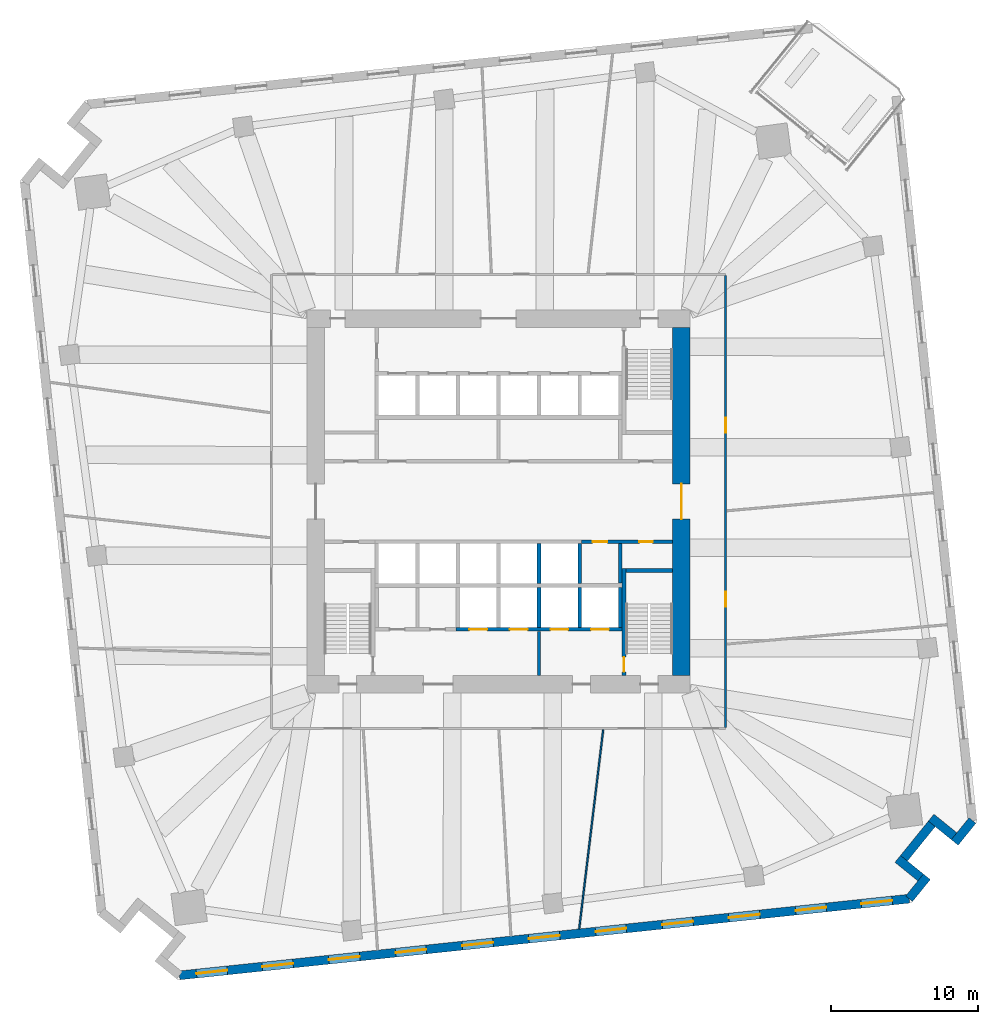
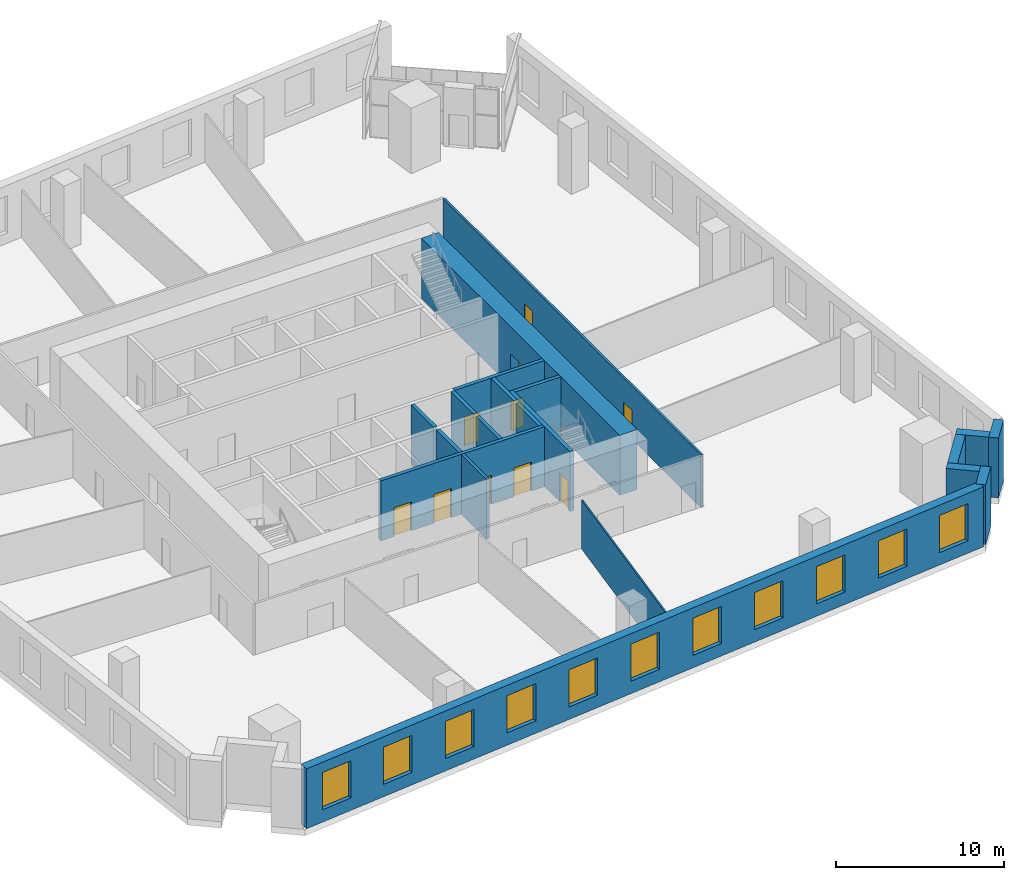
# One storey, part 5 of 10: 20 walls, 11 windows, 10 doors, 21 openings.
"""IFC4 building model written with IfcOpenShell, lengths in metres."""

import ifcopenshell
import ifcopenshell.guid

model = None  # the IFC model being written
_history = None  # IfcOwnerHistory: only IFC2X3 demands one
_inside = {}  # id of a spatial element -> (the spatial element, [elements in it])
_under = {}  # id of a project, library or spatial element -> (it, [spatial elements below it])
_declared = {}  # id of a project -> (the project, [libraries it declares])
_typed = {}  # id of a type object -> (the type object, [elements of that type])
_made_of = {}  # id of a material, layer set ... -> (it, [elements and type objects made of it])


def new_model(schema):
    """Start an empty IFC model of exactly this schema.

    Asked for "IFC4X3", IfcOpenShell would pick the latest addendum, in which some entities
    have other attributes; the version numbers below select the first issue.
    IFC2X3 requires an IfcOwnerHistory on every rooted entity: one is made here for all.
    """
    global model, _history
    if schema == "IFC4X3":
        model = ifcopenshell.file(schema_version=(4, 3, 0, 0))
    else:
        model = ifcopenshell.file(schema=schema)
    _inside.clear()
    _under.clear()
    _declared.clear()
    _typed.clear()
    _made_of.clear()
    _history = None
    if model.schema == "IFC2X3":
        org = make("IfcOrganization", Name="unknown")
        user = make(
            "IfcPersonAndOrganization",
            ThePerson=make("IfcPerson", FamilyName="unknown"),
            TheOrganization=org,
        )
        app = make(
            "IfcApplication",
            ApplicationDeveloper=org,
            Version="unknown",
            ApplicationFullName="unknown",
            ApplicationIdentifier="unknown",
        )
        _history = make(
            "IfcOwnerHistory",
            OwningUser=user,
            OwningApplication=app,
            ChangeAction="ADDED",
            CreationDate=0,
        )
    return model


def make(cls, **values):
    """One entity of the class cls with the attributes given. An attribute that is None is left unset."""
    return model.create_entity(
        cls, **{name: value for name, value in values.items() if value is not None}
    )


def rooted(cls, **values):
    """An entity with a GlobalId (a new one), such as an element, a storey or a relation."""
    return make(cls, GlobalId=ifcopenshell.guid.new(), OwnerHistory=_history, **values)


def si_unit(unit_type, name, prefix=None):
    """IfcSIUnit, for example si_unit("LENGTHUNIT", "METRE", prefix="MILLI")."""
    return make("IfcSIUnit", UnitType=unit_type, Prefix=prefix, Name=name)


def assignment(units):
    """IfcUnitAssignment: the units of a project."""
    return None if units is None else make("IfcUnitAssignment", Units=units)


def point(xyz):
    """IfcCartesianPoint."""
    return None if xyz is None else make("IfcCartesianPoint", Coordinates=xyz)


def direction(xyz):
    """IfcDirection."""
    return None if xyz is None else make("IfcDirection", DirectionRatios=xyz)


def frame(location, z_axis=None, x_axis=None):
    """IfcAxis2Placement3D, a coordinate frame: its origin and axes. An axis left out is left unset."""
    return make(
        "IfcAxis2Placement3D",
        Location=point(location),
        Axis=direction(z_axis),
        RefDirection=direction(x_axis),
    )


def frame_2d(location, x_axis=None):
    """IfcAxis2Placement2D, a coordinate frame in the plane: its origin and x axis."""
    return make(
        "IfcAxis2Placement2D", Location=point(location), RefDirection=direction(x_axis)
    )


def origin():
    """The frame at (0, 0, 0) with its axes left unset."""
    return frame((0.0, 0.0, 0.0))


def place(relative_to, where):
    """IfcLocalPlacement: puts the frame where relative to a parent placement (None: the world)."""
    return make(
        "IfcLocalPlacement", PlacementRelTo=relative_to, RelativePlacement=where
    )


def context(
    kind, dimensions, precision=None, world=None, true_north=None, identifier=None
):
    """IfcGeometricRepresentationContext, for example the 3D "Model" context."""
    return make(
        "IfcGeometricRepresentationContext",
        ContextIdentifier=identifier,
        ContextType=kind,
        CoordinateSpaceDimension=dimensions,
        Precision=precision,
        WorldCoordinateSystem=world,
        TrueNorth=true_north,
    )


def subcontext(parent, identifier, kind, view, scale=None):
    """IfcGeometricRepresentationSubContext, for example "Body" below "Model"."""
    return make(
        "IfcGeometricRepresentationSubContext",
        ContextIdentifier=identifier,
        ContextType=kind,
        ParentContext=parent,
        TargetScale=scale,
        TargetView=view,
    )


def project(units=None, contexts=None):
    """IfcProject with its units and contexts."""
    return rooted(
        "IfcProject",
        Name="project",
        RepresentationContexts=contexts,
        UnitsInContext=assignment(units),
    )


def spatial(cls, under=None, at=None, **own):
    """A site, building, storey or space (cls), placed at a placement, below another one or the project."""
    s = rooted(cls, ObjectPlacement=at, **own)
    if under is not None:
        _under.setdefault(under.id(), (under, []))[1].append(s)
    return s


def profile(cls, at=None, kind="AREA", **sizes):
    """A parametric profile (cls). Its sizes go by their IFC names, for example OverallWidth=200.0."""
    return make(cls, ProfileType=kind, Position=at, **sizes)


def rectangle(**sizes):
    """IfcRectangleProfileDef."""
    return profile("IfcRectangleProfileDef", **sizes)


def extrude(swept, where, along, depth):
    """IfcExtrudedAreaSolid: the profile swept, set in the frame where, extruded along a direction by depth."""
    return make(
        "IfcExtrudedAreaSolid",
        SweptArea=swept,
        Position=where,
        ExtrudedDirection=direction(along),
        Depth=depth,
    )


def shape(context_of_items, identifier, shape_type, items):
    """IfcShapeRepresentation: the items that make up one representation, for example the "Body"."""
    return make(
        "IfcShapeRepresentation",
        ContextOfItems=context_of_items,
        RepresentationIdentifier=identifier,
        RepresentationType=shape_type,
        Items=items,
    )


def material(Name=None, Category=None):
    """IfcMaterial."""
    return make("IfcMaterial", Name=Name, Category=Category)


def layer(
    of_material, thickness, ventilated=None, Name=None, Category=None, Priority=None
):
    """IfcMaterialLayer: one layer of a wall or slab, of a material (None: an air gap)."""
    return make(
        "IfcMaterialLayer",
        Material=of_material,
        LayerThickness=thickness,
        IsVentilated=ventilated,
        Name=Name,
        Category=Category,
        Priority=Priority,
    )


def layer_set(layers, Name=None):
    """IfcMaterialLayerSet."""
    return make("IfcMaterialLayerSet", MaterialLayers=layers, LayerSetName=Name)


def made_of(thing, what):
    """Note that an element or type object is made of a material, layer set ...; save() writes the relation."""
    if what is not None:
        _made_of.setdefault(what.id(), (what, []))[1].append(thing)
    return thing


def type_object(cls, material=None, **own):
    """A type object (cls), such as IfcWallType, which elements share."""
    return made_of(rooted(cls, **own), material)


def element(
    cls,
    number,
    at=None,
    inside=None,
    cuts=None,
    type_object=None,
    material=None,
    context=None,
    identifier="Body",
    shape_type=None,
    held_by="IfcProductDefinitionShape",
    body=None,
    shapes=None,
    **own,
):
    """One element of the class cls, such as IfcWall. Its Tag is "e" and its number.

    at: its placement. inside: the storey or other place that contains it. cuts: it is an
    opening in that element (IfcRelVoidsElement). A single representation is given by context,
    identifier, shape_type and body (its items); several are given by shapes. held_by: the class
    of the entity that holds the representations. save() writes the other relations.
    """
    e = rooted(cls, Tag="e%d" % number, ObjectPlacement=at, **own)
    if body is not None:
        shapes = [shape(context, identifier, shape_type, body)]
    if shapes is not None:
        e.Representation = make(held_by, Representations=shapes)
    if inside is not None:
        _inside.setdefault(inside.id(), (inside, []))[1].append(e)
    if cuts is not None:
        rooted(
            "IfcRelVoidsElement", RelatingBuildingElement=cuts, RelatedOpeningElement=e
        )
    if type_object is not None:
        _typed.setdefault(type_object.id(), (type_object, []))[1].append(e)
    return made_of(e, material)


def fill(opening, filler):
    """IfcRelFillsElement: the door or window that sits in an opening."""
    return rooted(
        "IfcRelFillsElement",
        RelatingOpeningElement=opening,
        RelatedBuildingElement=filler,
    )


def aggregate(whole, parts):
    """IfcRelAggregates: a whole, such as a stair, and the parts it consists of."""
    return rooted("IfcRelAggregates", RelatingObject=whole, RelatedObjects=parts)


def save(model, path):
    """Write the relations noted so far, then the file.

    IfcRelAggregates (storeys below a building ...), IfcRelContainedInSpatialStructure (elements
    in a storey), IfcRelDefinesByType, IfcRelAssociatesMaterial and IfcRelDeclares: one each for
    every whole, place, type object, material and project.
    """
    for whole, parts in _under.values():
        aggregate(whole, parts)
    for where, things in _inside.values():
        rooted(
            "IfcRelContainedInSpatialStructure",
            RelatedElements=things,
            RelatingStructure=where,
        )
    for kind, things in _typed.values():
        rooted("IfcRelDefinesByType", RelatedObjects=things, RelatingType=kind)
    for what, things in _made_of.values():
        rooted("IfcRelAssociatesMaterial", RelatedObjects=things, RelatingMaterial=what)
    for by, libraries in _declared.values():
        rooted("IfcRelDeclares", RelatingContext=by, RelatedDefinitions=libraries)
    model.write(path)


model = new_model("IFC4")

# Units and contexts
model_context = context("Model", 3, precision=1e-05, world=origin(), true_north=direction((0.0, 1.0)))
body_context = subcontext(model_context, "Body", "Model", "MODEL_VIEW")
ifc_project = project(units=[si_unit("LENGTHUNIT", "METRE"), si_unit("AREAUNIT", "SQUARE_METRE"), si_unit("VOLUMEUNIT", "CUBIC_METRE"), si_unit("PLANEANGLEUNIT", "RADIAN"), si_unit("MASSUNIT", "GRAM", prefix="KILO")], contexts=[model_context])

# Site, building, storey
site_placement = place(None, origin())
site = spatial("IfcSite", under=ifc_project, at=site_placement, CompositionType="ELEMENT")
building_placement = place(site_placement, origin())
building = spatial("IfcBuilding", under=site, at=building_placement, Name="Dilmun Exchange Tower", CompositionType="ELEMENT")
storey_placement = place(building_placement, frame((0.0, 0.0, 36.89990234375)))
storey = spatial("IfcBuildingStorey", under=building, at=storey_placement, Name="L08", CompositionType="ELEMENT", Elevation=36.89990234375)

# Walls
ifc_material_1 = material(Name="Concrete C40/50", Category="concrete")
ifc_layer_1 = layer(ifc_material_1, 0.199951171875)
ifc_layer_set_1 = layer_set([ifc_layer_1], Name="Concrete C40/50")
wall_type_1 = type_object("IfcWallType", Name="Core partition wall 200", PredefinedType="PARTITIONING", material=ifc_layer_set_1)
wall_1_placement = place(storey_placement, frame((2.75, -11.794921875, 0.0), z_axis=(0.0, 0.0, 1.0), x_axis=(0.0, 1.0, 0.0)))
element("IfcWall", 1, at=wall_1_placement, inside=storey, type_object=wall_type_1, Name="L08 core partition wall 01", PredefinedType="PARTITIONING", context=body_context, shape_type="SweptSolid", body=[
    extrude(rectangle(XDim=2.989990234375, YDim=0.199951171875, at=frame_2d((1.4951171875, 0.0))), origin(), (0.0, 0.0, 1.0), 4.35009765625),
])
ifc_layer_2 = layer(ifc_material_1, 0.25)
ifc_layer_set_2 = layer_set([ifc_layer_2], Name="Concrete C40/50")
wall_type_2 = type_object("IfcWallType", Name="Core partition wall 250", PredefinedType="PARTITIONING", material=ifc_layer_set_2)
wall_2_placement = place(storey_placement, frame((8.25, -5.544921875, 0.0), z_axis=(0.0, 0.0, 1.0), x_axis=(0.0, 1.0, 0.0)))
element("IfcWall", 2, at=wall_2_placement, inside=storey, type_object=wall_type_2, Name="L08 core partition wall 05", PredefinedType="PARTITIONING", context=body_context, shape_type="SweptSolid", body=[
    extrude(rectangle(XDim=2.68994140625, YDim=0.25, at=frame_2d((1.344970703125, 0.0))), origin(), (0.0, 0.0, 1.0), 4.35009765625),
])

# Wall, openings, doors
wall_3_placement = place(storey_placement, frame((5.6298828125, -2.72509765625, 0.0), z_axis=(0.0, 0.0, 1.0), x_axis=(1.0, 0.0, 0.0)))
wall_3 = element("IfcWall", 3, at=wall_3_placement, inside=storey, type_object=wall_type_2, Name="L08 core partition wall 07", PredefinedType="PARTITIONING", context=body_context, shape_type="SweptSolid", body=[
    extrude(rectangle(XDim=6.1650390625, YDim=0.25, at=frame_2d((3.08251953125, 0.0))), origin(), (0.0, 0.0, 1.0), 4.35009765625),
])
opening_1_placement = place(wall_3_placement, frame((0.7451171875, 0.0, 0.0)))
opening_1 = element("IfcOpeningElement", 4, at=opening_1_placement, cuts=wall_3, Name="Opening CD4", PredefinedType="OPENING", context=body_context, shape_type="SweptSolid", body=[
    extrude(rectangle(XDim=1.0, YDim=2.10009765625, at=frame_2d((0.5, 1.050048828125))), frame((0.0, 0.135009765625, 0.0), z_axis=(0.0, -1.0, 0.0), x_axis=(1.0, 0.0, 0.0)), (0.0, 0.0, 1.0), 0.27001953125),
])
opening_2_placement = place(wall_3_placement, frame((3.919921875, 0.0, 0.0)))
opening_2 = element("IfcOpeningElement", 5, at=opening_2_placement, cuts=wall_3, Name="Opening CD6", PredefinedType="OPENING", context=body_context, shape_type="SweptSolid", body=[
    extrude(rectangle(XDim=0.89990234375, YDim=2.10009765625, at=frame_2d((0.449951171875, 1.050048828125))), frame((0.0, 0.135009765625, 0.0), z_axis=(0.0, -1.0, 0.0), x_axis=(1.0, 0.0, 0.0)), (0.0, 0.0, 1.0), 0.27001953125),
])
ifc_material_2 = material(Name="Fire-rated steel door set", Category="steel")
door_type_1 = type_object("IfcDoorType", Name="Core room door 1000x2100", OperationType="SINGLE_SWING_LEFT", PredefinedType="DOOR", material=ifc_material_2)
door_1_placement = place(opening_1_placement, origin())
door_1 = element("IfcDoor", 6, at=door_1_placement, inside=storey, type_object=door_type_1, Name="L08 door Cleaners' store", OperationType="SINGLE_SWING_LEFT", OverallHeight=2.10009765625, OverallWidth=1.0, PredefinedType="DOOR", context=body_context, shape_type="SweptSolid", body=[
    extrude(rectangle(XDim=1.0, YDim=2.10009765625, at=frame_2d((0.5, 1.050048828125))), frame((0.0, 0.02490234375, 0.0), z_axis=(0.0, -1.0, 0.0), x_axis=(1.0, 0.0, 0.0)), (0.0, 0.0, 1.0), 0.050048828125),
])
fill(opening_1, door_1)
door_type_2 = type_object("IfcDoorType", Name="Core room door 900x2100", OperationType="SINGLE_SWING_LEFT", PredefinedType="DOOR", material=ifc_material_2)
door_2_placement = place(opening_2_placement, origin())
door_2 = element("IfcDoor", 7, at=door_2_placement, inside=storey, type_object=door_type_2, Name="L08 door Comms riser", OperationType="SINGLE_SWING_LEFT", OverallHeight=2.10009765625, OverallWidth=0.89990234375, PredefinedType="DOOR", context=body_context, shape_type="SweptSolid", body=[
    extrude(rectangle(XDim=0.89990234375, YDim=2.10009765625, at=frame_2d((0.449951171875, 1.050048828125))), frame((0.0, 0.02490234375, 0.0), z_axis=(0.0, -1.0, 0.0), x_axis=(1.0, 0.0, 0.0)), (0.0, 0.0, 1.0), 0.050048828125),
])
fill(opening_2, door_2)

# Wall, opening, door
ifc_material_3 = material(Name="Concrete C80/95", Category="concrete")
ifc_layer_3 = layer(ifc_material_3, 1.199951171875)
ifc_layer_set_3 = layer_set([ifc_layer_3], Name="Concrete C80/95")
wall_type_3 = type_object("IfcWallType", Name="Core shear wall 1200 Concrete C80/95", PredefinedType="SHEAR", material=ifc_layer_set_3)
wall_4_placement = place(storey_placement, frame((12.39990234375, -11.800048828125, 0.0), z_axis=(0.0, 0.0, 1.0), x_axis=(0.0, 1.0, 0.0)))
wall_4 = element("IfcWall", 8, at=wall_4_placement, inside=storey, type_object=wall_type_3, Name="L08 core shear wall E", PredefinedType="SHEAR", context=body_context, shape_type="SweptSolid", body=[
    extrude(rectangle(XDim=23.60009765625, YDim=1.199951171875, at=frame_2d((11.800048828125, 0.0))), origin(), (0.0, 0.0, 1.0), 4.35009765625),
])
opening_3_placement = place(wall_4_placement, frame((10.60009765625, 0.0, 0.0)))
opening_3 = element("IfcOpeningElement", 9, at=opening_3_placement, cuts=wall_4, Name="Opening CD1", PredefinedType="OPENING", context=body_context, shape_type="SweptSolid", body=[
    extrude(rectangle(XDim=2.39990234375, YDim=2.39990234375, at=frame_2d((1.199951171875, 1.199951171875))), frame((0.0, 0.60986328125, 0.0), z_axis=(0.0, -1.0, 0.0), x_axis=(1.0, 0.0, 0.0)), (0.0, 0.0, 1.0), 1.219970703125),
])
door_type_3 = type_object("IfcDoorType", Name="Core lobby door 2400x2400", OperationType="DOUBLE_DOOR_DOUBLE_SWING", PredefinedType="DOOR", material=ifc_material_2)
door_3_placement = place(opening_3_placement, origin())
door_3 = element("IfcDoor", 10, at=door_3_placement, inside=storey, type_object=door_type_3, Name="L08 door Central lift lobby", OperationType="SINGLE_SWING_LEFT", OverallHeight=2.39990234375, OverallWidth=2.39990234375, PredefinedType="DOOR", context=body_context, shape_type="SweptSolid", body=[
    extrude(rectangle(XDim=2.39990234375, YDim=2.39990234375, at=frame_2d((1.199951171875, 1.199951171875))), frame((0.0, 0.02490234375, 0.0), z_axis=(0.0, -1.0, 0.0), x_axis=(1.0, 0.0, 0.0)), (0.0, 0.0, 1.0), 0.050048828125),
])
fill(opening_3, door_3)

# Wall, openings, doors
ifc_material_4 = material(Name="Corridor wall 150")
ifc_layer_4 = layer(ifc_material_4, 0.14990234375)
ifc_layer_set_4 = layer_set([ifc_layer_4], Name="Corridor wall 150")
wall_type_4 = type_object("IfcWallType", Name="Corridor wall 150", PredefinedType="PARTITIONING", material=ifc_layer_set_4)
wall_5_placement = place(storey_placement, frame((15.39990234375, -15.324951171875, 0.0), z_axis=(0.0, 0.0, 1.0), x_axis=(0.0, 1.0, 0.0)))
wall_5 = element("IfcWall", 11, at=wall_5_placement, inside=storey, type_object=wall_type_4, Name="Corridor wall", PredefinedType="PARTITIONING", context=body_context, shape_type="SweptSolid", body=[
    extrude(rectangle(XDim=30.64990234375, YDim=0.14990234375, at=frame_2d((15.324951171875, 0.0))), origin(), (0.0, 0.0, 1.0), 3.85009765625),
])
opening_4_placement = place(wall_5_placement, frame((19.985595703125, 0.0, 0.0)))
opening_4 = element("IfcOpeningElement", 12, at=opening_4_placement, cuts=wall_5, Name="Opening TF08-D12", PredefinedType="OPENING", context=body_context, shape_type="SweptSolid", body=[
    extrude(rectangle(XDim=1.0, YDim=2.10009765625, at=frame_2d((0.5, 1.050048828125))), frame((0.0, 0.0849609375, 0.0), z_axis=(0.0, -1.0, 0.0), x_axis=(1.0, 0.0, 0.0)), (0.0, 0.0, 1.0), 0.169921875),
])
opening_5_placement = place(wall_5_placement, frame((8.197021484375, 0.0, 0.0)))
opening_5 = element("IfcOpeningElement", 13, at=opening_5_placement, cuts=wall_5, Name="Opening TF08-D15", PredefinedType="OPENING", context=body_context, shape_type="SweptSolid", body=[
    extrude(rectangle(XDim=1.0, YDim=2.10009765625, at=frame_2d((0.5, 1.050048828125))), frame((0.0, 0.0849609375, 0.0), z_axis=(0.0, -1.0, 0.0), x_axis=(1.0, 0.0, 0.0)), (0.0, 0.0, 1.0), 0.169921875),
])
ifc_material_5 = material(Name="Fire door 1000 x 2100")
door_type_4 = type_object("IfcDoorType", Name="Fire door 1000 x 2100", OperationType="NOTDEFINED", PredefinedType="DOOR", material=ifc_material_5)
door_4_placement = place(opening_4_placement, frame((1.0, 0.0, 0.0), z_axis=(0.0, 0.0, 1.0), x_axis=(-1.0, 0.0, 0.0)))
door_4 = element("IfcDoor", 14, at=door_4_placement, inside=storey, type_object=door_type_4, Name="Door TF08-D12", OperationType="SINGLE_SWING_RIGHT", OverallHeight=2.10009765625, OverallWidth=1.0, PredefinedType="DOOR", context=body_context, shape_type="SweptSolid", body=[
    extrude(rectangle(XDim=1.0, YDim=2.10009765625, at=frame_2d((0.5, 1.050048828125))), frame((0.0, 0.02490234375, 0.0), z_axis=(0.0, -1.0, 0.0), x_axis=(1.0, 0.0, 0.0)), (0.0, 0.0, 1.0), 0.050048828125),
])
fill(opening_4, door_4)
door_5_placement = place(opening_5_placement, frame((1.0, 0.0, 0.0), z_axis=(0.0, 0.0, 1.0), x_axis=(-1.0, 0.0, 0.0)))
door_5 = element("IfcDoor", 15, at=door_5_placement, inside=storey, type_object=door_type_4, Name="Door TF08-D15", OperationType="SINGLE_SWING_LEFT", OverallHeight=2.10009765625, OverallWidth=1.0, PredefinedType="DOOR", context=body_context, shape_type="SweptSolid", body=[
    extrude(rectangle(XDim=1.0, YDim=2.10009765625, at=frame_2d((0.5, 1.050048828125))), frame((0.0, 0.02490234375, 0.0), z_axis=(0.0, -1.0, 0.0), x_axis=(1.0, 0.0, 0.0)), (0.0, 0.0, 1.0), 0.050048828125),
])
fill(opening_5, door_5)

# Walls
ifc_layer_5 = layer(ifc_material_1, 0.25)
ifc_layer_set_5 = layer_set([ifc_layer_5], Name="Concrete C40/50")
wall_type_5 = type_object("IfcWallType", Name="Lift shaft wall 250", PredefinedType="SOLIDWALL", material=ifc_layer_set_5)
for number, where, z_axis, x_axis, name in (
    (16, (2.75, -5.550048828125, 0.0), (0.0, 0.0, 1.0), (0.0, 1.0, 0.0), "L08 lift shaft divider S14"),
    (17, (5.5, -5.550048828125, 0.0), (0.0, 0.0, 1.0), (0.0, 1.0, 0.0), "L08 lift shaft divider S15"),
):
    element("IfcWall", number, at=place(storey_placement, frame(where, z_axis=z_axis, x_axis=x_axis)), inside=storey, type_object=wall_type_5, Name=name, PredefinedType="SOLIDWALL", context=body_context, shape_type="SweptSolid", body=[
        extrude(rectangle(XDim=2.699951171875, YDim=0.25, at=frame_2d((1.35009765625, 0.0))), origin(), (0.0, 0.0, 1.0), 4.35009765625),
    ])

# Wall, openings, doors
wall_6_placement = place(storey_placement, frame((-2.875, -8.675048828125, 0.0), z_axis=(0.0, 0.0, 1.0), x_axis=(1.0, 0.0, 0.0)))
wall_6 = element("IfcWall", 18, at=wall_6_placement, inside=storey, type_object=wall_type_5, Name="L08 lift shaft front wall S2", PredefinedType="SOLIDWALL", context=body_context, shape_type="SweptSolid", body=[
    extrude(rectangle(XDim=11.25, YDim=0.25, at=frame_2d((5.625, 0.0))), origin(), (0.0, 0.0, 1.0), 4.35009765625),
])
opening_6_placement = place(wall_6_placement, frame((0.89990234375, 0.0, 0.0)))
opening_6 = element("IfcOpeningElement", 19, at=opening_6_placement, cuts=wall_6, Name="Opening LD", PredefinedType="OPENING", context=body_context, shape_type="SweptSolid", body=[
    extrude(rectangle(XDim=1.199951171875, YDim=2.10009765625, at=frame_2d((0.60009765625, 1.050048828125))), frame((0.0, 0.135009765625, 0.0), z_axis=(0.0, -1.0, 0.0), x_axis=(1.0, 0.0, 0.0)), (0.0, 0.0, 1.0), 0.27001953125),
])
opening_7_placement = place(wall_6_placement, frame((3.64990234375, 0.0, 0.0)))
opening_7 = element("IfcOpeningElement", 20, at=opening_7_placement, cuts=wall_6, Name="Opening LD", PredefinedType="OPENING", context=body_context, shape_type="SweptSolid", body=[
    extrude(rectangle(XDim=1.199951171875, YDim=2.10009765625, at=frame_2d((0.60009765625, 1.050048828125))), frame((0.0, 0.135009765625, 0.0), z_axis=(0.0, -1.0, 0.0), x_axis=(1.0, 0.0, 0.0)), (0.0, 0.0, 1.0), 0.27001953125),
])
opening_8_placement = place(wall_6_placement, frame((6.39990234375, 0.0, 0.0)))
opening_8 = element("IfcOpeningElement", 21, at=opening_8_placement, cuts=wall_6, Name="Opening LD", PredefinedType="OPENING", context=body_context, shape_type="SweptSolid", body=[
    extrude(rectangle(XDim=1.199951171875, YDim=2.10009765625, at=frame_2d((0.60009765625, 1.050048828125))), frame((0.0, 0.135009765625, 0.0), z_axis=(0.0, -1.0, 0.0), x_axis=(1.0, 0.0, 0.0)), (0.0, 0.0, 1.0), 0.27001953125),
])
opening_9_placement = place(wall_6_placement, frame((9.14990234375, 0.0, 0.0)))
opening_9 = element("IfcOpeningElement", 22, at=opening_9_placement, cuts=wall_6, Name="Opening LD", PredefinedType="OPENING", context=body_context, shape_type="SweptSolid", body=[
    extrude(rectangle(XDim=1.199951171875, YDim=2.10009765625, at=frame_2d((0.60009765625, 1.050048828125))), frame((0.0, 0.135009765625, 0.0), z_axis=(0.0, -1.0, 0.0), x_axis=(1.0, 0.0, 0.0)), (0.0, 0.0, 1.0), 0.27001953125),
])
door_type_5 = type_object("IfcDoorType", Name="Lift landing door 1200x2100", OperationType="DOUBLE_DOOR_SLIDING", PredefinedType="DOOR", material=ifc_material_2)
door_6_placement = place(opening_6_placement, origin())
door_6 = element("IfcDoor", 23, at=door_6_placement, inside=storey, type_object=door_type_5, Name="L08 landing door SV1", OperationType="DOUBLE_DOOR_SLIDING", OverallHeight=2.10009765625, OverallWidth=1.199951171875, PredefinedType="DOOR", context=body_context, shape_type="SweptSolid", body=[
    extrude(rectangle(XDim=1.199951171875, YDim=2.10009765625, at=frame_2d((0.60009765625, 1.050048828125))), frame((0.0, 0.02490234375, 0.0), z_axis=(0.0, -1.0, 0.0), x_axis=(1.0, 0.0, 0.0)), (0.0, 0.0, 1.0), 0.050048828125),
])
fill(opening_6, door_6)
door_7_placement = place(opening_7_placement, origin())
door_7 = element("IfcDoor", 24, at=door_7_placement, inside=storey, type_object=door_type_5, Name="L08 landing door SV2", OperationType="DOUBLE_DOOR_SLIDING", OverallHeight=2.10009765625, OverallWidth=1.199951171875, PredefinedType="DOOR", context=body_context, shape_type="SweptSolid", body=[
    extrude(rectangle(XDim=1.199951171875, YDim=2.10009765625, at=frame_2d((0.60009765625, 1.050048828125))), frame((0.0, 0.02490234375, 0.0), z_axis=(0.0, -1.0, 0.0), x_axis=(1.0, 0.0, 0.0)), (0.0, 0.0, 1.0), 0.050048828125),
])
fill(opening_7, door_7)
door_8_placement = place(opening_8_placement, origin())
door_8 = element("IfcDoor", 25, at=door_8_placement, inside=storey, type_object=door_type_5, Name="L08 landing door FF1", OperationType="DOUBLE_DOOR_SLIDING", OverallHeight=2.10009765625, OverallWidth=1.199951171875, PredefinedType="DOOR", context=body_context, shape_type="SweptSolid", body=[
    extrude(rectangle(XDim=1.199951171875, YDim=2.10009765625, at=frame_2d((0.60009765625, 1.050048828125))), frame((0.0, 0.02490234375, 0.0), z_axis=(0.0, -1.0, 0.0), x_axis=(1.0, 0.0, 0.0)), (0.0, 0.0, 1.0), 0.050048828125),
])
fill(opening_8, door_8)
door_9_placement = place(opening_9_placement, origin())
door_9 = element("IfcDoor", 26, at=door_9_placement, inside=storey, type_object=door_type_5, Name="L08 landing door FF2", OperationType="DOUBLE_DOOR_SLIDING", OverallHeight=2.10009765625, OverallWidth=1.199951171875, PredefinedType="DOOR", context=body_context, shape_type="SweptSolid", body=[
    extrude(rectangle(XDim=1.199951171875, YDim=2.10009765625, at=frame_2d((0.60009765625, 1.050048828125))), frame((0.0, 0.02490234375, 0.0), z_axis=(0.0, -1.0, 0.0), x_axis=(1.0, 0.0, 0.0)), (0.0, 0.0, 1.0), 0.050048828125),
])
fill(opening_9, door_9)

# Walls
for number, where, z_axis, x_axis, name in (
    (27, (2.75, -8.550048828125, 0.0), (0.0, 0.0, 1.0), (0.0, 1.0, 0.0), "L08 lift shaft divider S24"),
    (28, (5.5, -8.550048828125, 0.0), (0.0, 0.0, 1.0), (0.0, 1.0, 0.0), "L08 lift shaft divider S25"),
    (29, (8.25, -8.550048828125, 0.0), (0.0, 0.0, 1.0), (0.0, 1.0, 0.0), "L08 lift shaft divider S26"),
):
    element("IfcWall", number, at=place(storey_placement, frame(where, z_axis=z_axis, x_axis=x_axis)), inside=storey, type_object=wall_type_5, Name=name, PredefinedType="SOLIDWALL", context=body_context, shape_type="SweptSolid", body=[
        extrude(rectangle(XDim=2.699951171875, YDim=0.25, at=frame_2d((1.35009765625, 0.0))), origin(), (0.0, 0.0, 1.0), 4.35009765625),
    ])
ifc_material_6 = material(Name="Partition 100")
ifc_layer_6 = layer(ifc_material_6, 0.10009765625)
ifc_layer_set_6 = layer_set([ifc_layer_6], Name="Partition 100")
wall_type_6 = type_object("IfcWallType", Name="Partition 100", PredefinedType="PARTITIONING", material=ifc_layer_set_6)
wall_7_placement = place(storey_placement, frame((5.468994140625, -28.985107421875, 0.0), z_axis=(0.0, 0.0, 1.0), x_axis=(0.119701505931, 0.992809926158, 0.0)))
element("IfcWall", 30, at=wall_7_placement, inside=storey, type_object=wall_type_6, Name="Partition", PredefinedType="PARTITIONING", context=body_context, shape_type="SweptSolid", body=[
    extrude(rectangle(XDim=13.60205078125, YDim=0.10009765625, at=frame_2d((6.801025390625, 0.0))), origin(), (0.0, 0.0, 1.0), 3.550048828125),
])

# Wall, openings, windows
ifc_material_7 = material(Name="Precast concrete C50/60", Category="concrete")
ifc_layer_7 = layer(ifc_material_7, 0.60009765625)
ifc_layer_set_7 = layer_set([ifc_layer_7], Name="Precast concrete C50/60")
wall_type_7 = type_object("IfcWallType", Name="Precast stone-clad wall 600", PredefinedType="STANDARD", material=ifc_layer_set_7)
wall_8_placement = place(storey_placement, frame((-21.635009765625, -32.137451171875, 0.0), z_axis=(0.0, 0.0, 1.0), x_axis=(0.994521923397, 0.104528196591, 0.0)))
wall_8 = element("IfcWall", 31, at=wall_8_placement, inside=storey, type_object=wall_type_7, Name="Facade wall L08-15", PredefinedType="STANDARD", context=body_context, shape_type="SweptSolid", body=[
    extrude(rectangle(XDim=49.75146484375, YDim=0.60009765625, at=frame_2d((24.875732421875, 0.0))), origin(), (0.0, 0.0, 1.0), 4.35009765625),
])
opening_10_placement = place(wall_8_placement, frame((1.16064453125, 0.0, 0.89990234375)))
opening_10 = element("IfcOpeningElement", 32, at=opening_10_placement, cuts=wall_8, Name="Opening W210-270", PredefinedType="OPENING", context=body_context, shape_type="SweptSolid", body=[
    extrude(rectangle(XDim=2.10009765625, YDim=2.699951171875, at=frame_2d((1.050048828125, 1.35009765625))), frame((0.0, 0.31005859375, 0.0), z_axis=(0.0, -1.0, 0.0), x_axis=(1.0, 0.0, 0.0)), (0.0, 0.0, 1.0), 0.6201171875),
])
opening_11_placement = place(wall_8_placement, frame((5.643798828125, 0.0, 0.89990234375)))
opening_11 = element("IfcOpeningElement", 33, at=opening_11_placement, cuts=wall_8, Name="Opening W210-270", PredefinedType="OPENING", context=body_context, shape_type="SweptSolid", body=[
    extrude(rectangle(XDim=2.10009765625, YDim=2.699951171875, at=frame_2d((1.050048828125, 1.35009765625))), frame((0.0, 0.31005859375, 0.0), z_axis=(0.0, -1.0, 0.0), x_axis=(1.0, 0.0, 0.0)), (0.0, 0.0, 1.0), 0.6201171875),
])
opening_12_placement = place(wall_8_placement, frame((10.189453125, 0.0, 0.89990234375)))
opening_12 = element("IfcOpeningElement", 34, at=opening_12_placement, cuts=wall_8, Name="Opening W210-270", PredefinedType="OPENING", context=body_context, shape_type="SweptSolid", body=[
    extrude(rectangle(XDim=2.10009765625, YDim=2.699951171875, at=frame_2d((1.050048828125, 1.35009765625))), frame((0.0, 0.31005859375, 0.0), z_axis=(0.0, -1.0, 0.0), x_axis=(1.0, 0.0, 0.0)), (0.0, 0.0, 1.0), 0.6201171875),
])
opening_13_placement = place(wall_8_placement, frame((14.73486328125, 0.0, 0.89990234375)))
opening_13 = element("IfcOpeningElement", 35, at=opening_13_placement, cuts=wall_8, Name="Opening W210-270", PredefinedType="OPENING", context=body_context, shape_type="SweptSolid", body=[
    extrude(rectangle(XDim=2.10009765625, YDim=2.699951171875, at=frame_2d((1.050048828125, 1.35009765625))), frame((0.0, 0.31005859375, 0.0), z_axis=(0.0, -1.0, 0.0), x_axis=(1.0, 0.0, 0.0)), (0.0, 0.0, 1.0), 0.6201171875),
])
opening_14_placement = place(wall_8_placement, frame((19.2802734375, 0.0, 0.89990234375)))
opening_14 = element("IfcOpeningElement", 36, at=opening_14_placement, cuts=wall_8, Name="Opening W210-270", PredefinedType="OPENING", context=body_context, shape_type="SweptSolid", body=[
    extrude(rectangle(XDim=2.10009765625, YDim=2.699951171875, at=frame_2d((1.050048828125, 1.35009765625))), frame((0.0, 0.31005859375, 0.0), z_axis=(0.0, -1.0, 0.0), x_axis=(1.0, 0.0, 0.0)), (0.0, 0.0, 1.0), 0.6201171875),
])
opening_15_placement = place(wall_8_placement, frame((23.82568359375, 0.0, 0.89990234375)))
opening_15 = element("IfcOpeningElement", 37, at=opening_15_placement, cuts=wall_8, Name="Opening W210-270", PredefinedType="OPENING", context=body_context, shape_type="SweptSolid", body=[
    extrude(rectangle(XDim=2.10009765625, YDim=2.699951171875, at=frame_2d((1.050048828125, 1.35009765625))), frame((0.0, 0.31005859375, 0.0), z_axis=(0.0, -1.0, 0.0), x_axis=(1.0, 0.0, 0.0)), (0.0, 0.0, 1.0), 0.6201171875),
])
opening_16_placement = place(wall_8_placement, frame((28.37109375, 0.0, 0.89990234375)))
opening_16 = element("IfcOpeningElement", 38, at=opening_16_placement, cuts=wall_8, Name="Opening W210-270", PredefinedType="OPENING", context=body_context, shape_type="SweptSolid", body=[
    extrude(rectangle(XDim=2.10009765625, YDim=2.699951171875, at=frame_2d((1.050048828125, 1.35009765625))), frame((0.0, 0.31005859375, 0.0), z_axis=(0.0, -1.0, 0.0), x_axis=(1.0, 0.0, 0.0)), (0.0, 0.0, 1.0), 0.6201171875),
])
opening_17_placement = place(wall_8_placement, frame((32.91650390625, 0.0, 0.89990234375)))
opening_17 = element("IfcOpeningElement", 39, at=opening_17_placement, cuts=wall_8, Name="Opening W210-270", PredefinedType="OPENING", context=body_context, shape_type="SweptSolid", body=[
    extrude(rectangle(XDim=2.10009765625, YDim=2.699951171875, at=frame_2d((1.050048828125, 1.35009765625))), frame((0.0, 0.31005859375, 0.0), z_axis=(0.0, -1.0, 0.0), x_axis=(1.0, 0.0, 0.0)), (0.0, 0.0, 1.0), 0.6201171875),
])
opening_18_placement = place(wall_8_placement, frame((37.462158203125, 0.0, 0.89990234375)))
opening_18 = element("IfcOpeningElement", 40, at=opening_18_placement, cuts=wall_8, Name="Opening W210-270", PredefinedType="OPENING", context=body_context, shape_type="SweptSolid", body=[
    extrude(rectangle(XDim=2.10009765625, YDim=2.699951171875, at=frame_2d((1.050048828125, 1.35009765625))), frame((0.0, 0.31005859375, 0.0), z_axis=(0.0, -1.0, 0.0), x_axis=(1.0, 0.0, 0.0)), (0.0, 0.0, 1.0), 0.6201171875),
])
opening_19_placement = place(wall_8_placement, frame((42.007568359375, 0.0, 0.89990234375)))
opening_19 = element("IfcOpeningElement", 41, at=opening_19_placement, cuts=wall_8, Name="Opening W210-270", PredefinedType="OPENING", context=body_context, shape_type="SweptSolid", body=[
    extrude(rectangle(XDim=2.10009765625, YDim=2.699951171875, at=frame_2d((1.050048828125, 1.35009765625))), frame((0.0, 0.31005859375, 0.0), z_axis=(0.0, -1.0, 0.0), x_axis=(1.0, 0.0, 0.0)), (0.0, 0.0, 1.0), 0.6201171875),
])
opening_20_placement = place(wall_8_placement, frame((46.490966796875, 0.0, 0.89990234375)))
opening_20 = element("IfcOpeningElement", 42, at=opening_20_placement, cuts=wall_8, Name="Opening W210-270", PredefinedType="OPENING", context=body_context, shape_type="SweptSolid", body=[
    extrude(rectangle(XDim=2.10009765625, YDim=2.699951171875, at=frame_2d((1.050048828125, 1.35009765625))), frame((0.0, 0.31005859375, 0.0), z_axis=(0.0, -1.0, 0.0), x_axis=(1.0, 0.0, 0.0)), (0.0, 0.0, 1.0), 0.6201171875),
])
ifc_material_8 = material(Name="Clear low-emissivity glass in aluminium frame", Category="aluminium")
window_type = type_object("IfcWindowType", Name="Punched window 2100 x 2700", PartitioningType="DOUBLE_PANEL_VERTICAL", PredefinedType="WINDOW", material=ifc_material_8)
window_1_placement = place(opening_10_placement, origin())
window_1 = element("IfcWindow", 43, at=window_1_placement, inside=storey, type_object=window_type, Name="Window 16.1", OverallHeight=2.699951171875, OverallWidth=2.10009765625, PartitioningType="SINGLE_PANEL", PredefinedType="WINDOW", context=body_context, shape_type="SweptSolid", body=[
    extrude(rectangle(XDim=2.10009765625, YDim=2.699951171875, at=frame_2d((1.050048828125, 1.35009765625))), frame((0.0, 0.030029296875, 0.0), z_axis=(0.0, -1.0, 0.0), x_axis=(1.0, 0.0, 0.0)), (0.0, 0.0, 1.0), 0.06005859375),
])
fill(opening_10, window_1)
window_2_placement = place(opening_11_placement, origin())
window_2 = element("IfcWindow", 44, at=window_2_placement, inside=storey, type_object=window_type, Name="Window 16.2", OverallHeight=2.699951171875, OverallWidth=2.10009765625, PartitioningType="SINGLE_PANEL", PredefinedType="WINDOW", context=body_context, shape_type="SweptSolid", body=[
    extrude(rectangle(XDim=2.10009765625, YDim=2.699951171875, at=frame_2d((1.050048828125, 1.35009765625))), frame((0.0, 0.030029296875, 0.0), z_axis=(0.0, -1.0, 0.0), x_axis=(1.0, 0.0, 0.0)), (0.0, 0.0, 1.0), 0.06005859375),
])
fill(opening_11, window_2)
window_3_placement = place(opening_12_placement, origin())
window_3 = element("IfcWindow", 45, at=window_3_placement, inside=storey, type_object=window_type, Name="Window 16.3", OverallHeight=2.699951171875, OverallWidth=2.10009765625, PartitioningType="SINGLE_PANEL", PredefinedType="WINDOW", context=body_context, shape_type="SweptSolid", body=[
    extrude(rectangle(XDim=2.10009765625, YDim=2.699951171875, at=frame_2d((1.050048828125, 1.35009765625))), frame((0.0, 0.030029296875, 0.0), z_axis=(0.0, -1.0, 0.0), x_axis=(1.0, 0.0, 0.0)), (0.0, 0.0, 1.0), 0.06005859375),
])
fill(opening_12, window_3)
window_4_placement = place(opening_13_placement, origin())
window_4 = element("IfcWindow", 46, at=window_4_placement, inside=storey, type_object=window_type, Name="Window 16.4", OverallHeight=2.699951171875, OverallWidth=2.10009765625, PartitioningType="SINGLE_PANEL", PredefinedType="WINDOW", context=body_context, shape_type="SweptSolid", body=[
    extrude(rectangle(XDim=2.10009765625, YDim=2.699951171875, at=frame_2d((1.050048828125, 1.35009765625))), frame((0.0, 0.030029296875, 0.0), z_axis=(0.0, -1.0, 0.0), x_axis=(1.0, 0.0, 0.0)), (0.0, 0.0, 1.0), 0.06005859375),
])
fill(opening_13, window_4)
window_5_placement = place(opening_14_placement, origin())
window_5 = element("IfcWindow", 47, at=window_5_placement, inside=storey, type_object=window_type, Name="Window 16.5", OverallHeight=2.699951171875, OverallWidth=2.10009765625, PartitioningType="SINGLE_PANEL", PredefinedType="WINDOW", context=body_context, shape_type="SweptSolid", body=[
    extrude(rectangle(XDim=2.10009765625, YDim=2.699951171875, at=frame_2d((1.050048828125, 1.35009765625))), frame((0.0, 0.030029296875, 0.0), z_axis=(0.0, -1.0, 0.0), x_axis=(1.0, 0.0, 0.0)), (0.0, 0.0, 1.0), 0.06005859375),
])
fill(opening_14, window_5)
window_6_placement = place(opening_15_placement, origin())
window_6 = element("IfcWindow", 48, at=window_6_placement, inside=storey, type_object=window_type, Name="Window 16.6", OverallHeight=2.699951171875, OverallWidth=2.10009765625, PartitioningType="SINGLE_PANEL", PredefinedType="WINDOW", context=body_context, shape_type="SweptSolid", body=[
    extrude(rectangle(XDim=2.10009765625, YDim=2.699951171875, at=frame_2d((1.050048828125, 1.35009765625))), frame((0.0, 0.030029296875, 0.0), z_axis=(0.0, -1.0, 0.0), x_axis=(1.0, 0.0, 0.0)), (0.0, 0.0, 1.0), 0.06005859375),
])
fill(opening_15, window_6)
window_7_placement = place(opening_16_placement, origin())
window_7 = element("IfcWindow", 49, at=window_7_placement, inside=storey, type_object=window_type, Name="Window 16.7", OverallHeight=2.699951171875, OverallWidth=2.10009765625, PartitioningType="SINGLE_PANEL", PredefinedType="WINDOW", context=body_context, shape_type="SweptSolid", body=[
    extrude(rectangle(XDim=2.10009765625, YDim=2.699951171875, at=frame_2d((1.050048828125, 1.35009765625))), frame((0.0, 0.030029296875, 0.0), z_axis=(0.0, -1.0, 0.0), x_axis=(1.0, 0.0, 0.0)), (0.0, 0.0, 1.0), 0.06005859375),
])
fill(opening_16, window_7)
window_8_placement = place(opening_17_placement, origin())
window_8 = element("IfcWindow", 50, at=window_8_placement, inside=storey, type_object=window_type, Name="Window 16.8", OverallHeight=2.699951171875, OverallWidth=2.10009765625, PartitioningType="SINGLE_PANEL", PredefinedType="WINDOW", context=body_context, shape_type="SweptSolid", body=[
    extrude(rectangle(XDim=2.10009765625, YDim=2.699951171875, at=frame_2d((1.050048828125, 1.35009765625))), frame((0.0, 0.030029296875, 0.0), z_axis=(0.0, -1.0, 0.0), x_axis=(1.0, 0.0, 0.0)), (0.0, 0.0, 1.0), 0.06005859375),
])
fill(opening_17, window_8)
window_9_placement = place(opening_18_placement, origin())
window_9 = element("IfcWindow", 51, at=window_9_placement, inside=storey, type_object=window_type, Name="Window 16.9", OverallHeight=2.699951171875, OverallWidth=2.10009765625, PartitioningType="SINGLE_PANEL", PredefinedType="WINDOW", context=body_context, shape_type="SweptSolid", body=[
    extrude(rectangle(XDim=2.10009765625, YDim=2.699951171875, at=frame_2d((1.050048828125, 1.35009765625))), frame((0.0, 0.030029296875, 0.0), z_axis=(0.0, -1.0, 0.0), x_axis=(1.0, 0.0, 0.0)), (0.0, 0.0, 1.0), 0.06005859375),
])
fill(opening_18, window_9)
window_10_placement = place(opening_19_placement, origin())
window_10 = element("IfcWindow", 52, at=window_10_placement, inside=storey, type_object=window_type, Name="Window 16.10", OverallHeight=2.699951171875, OverallWidth=2.10009765625, PartitioningType="SINGLE_PANEL", PredefinedType="WINDOW", context=body_context, shape_type="SweptSolid", body=[
    extrude(rectangle(XDim=2.10009765625, YDim=2.699951171875, at=frame_2d((1.050048828125, 1.35009765625))), frame((0.0, 0.030029296875, 0.0), z_axis=(0.0, -1.0, 0.0), x_axis=(1.0, 0.0, 0.0)), (0.0, 0.0, 1.0), 0.06005859375),
])
fill(opening_19, window_10)
window_11_placement = place(opening_20_placement, origin())
window_11 = element("IfcWindow", 53, at=window_11_placement, inside=storey, type_object=window_type, Name="Window 16.11", OverallHeight=2.699951171875, OverallWidth=2.10009765625, PartitioningType="SINGLE_PANEL", PredefinedType="WINDOW", context=body_context, shape_type="SweptSolid", body=[
    extrude(rectangle(XDim=2.10009765625, YDim=2.699951171875, at=frame_2d((1.050048828125, 1.35009765625))), frame((0.0, 0.030029296875, 0.0), z_axis=(0.0, -1.0, 0.0), x_axis=(1.0, 0.0, 0.0)), (0.0, 0.0, 1.0), 0.06005859375),
])
fill(opening_20, window_11)

# Walls
wall_9_placement = place(storey_placement, frame((27.843994140625, -26.93701171875, 0.0), z_axis=(0.0, 0.0, 1.0), x_axis=(0.629341524136, 0.777128847746, 0.0)))
element("IfcWall", 54, at=wall_9_placement, inside=storey, type_object=wall_type_7, Name="Facade wall L08-16", PredefinedType="STANDARD", context=body_context, shape_type="SweptSolid", body=[
    extrude(rectangle(XDim=1.911376953125, YDim=0.60009765625, at=frame_2d((0.95556640625, 0.0))), origin(), (0.0, 0.0, 1.0), 4.35009765625),
])
wall_10_placement = place(storey_placement, frame((28.624755859375, -25.49609375, 0.0), z_axis=(0.0, 0.0, 1.0), x_axis=(-0.777091341611, 0.629387834958, 0.0)))
element("IfcWall", 55, at=wall_10_placement, inside=storey, type_object=wall_type_7, Name="Facade wall L08-17", PredefinedType="STANDARD", context=body_context, shape_type="SweptSolid", body=[
    extrude(rectangle(XDim=2.0, YDim=0.60009765625, at=frame_2d((1.0, 0.0))), origin(), (0.0, 0.0, 1.0), 4.35009765625),
])
wall_11_placement = place(storey_placement, frame((27.492431640625, -24.193115234375, 0.0), z_axis=(0.0, 0.0, 1.0), x_axis=(0.629338688562, 0.777131144068, 0.0)))
element("IfcWall", 56, at=wall_11_placement, inside=storey, type_object=wall_type_7, Name="Facade wall L08-18", PredefinedType="STANDARD", context=body_context, shape_type="SweptSolid", body=[
    extrude(rectangle(XDim=3.0, YDim=0.60009765625, at=frame_2d((1.5, 0.0))), origin(), (0.0, 0.0, 1.0), 4.35009765625),
])
wall_12_placement = place(storey_placement, frame((29.336181640625, -21.439697265625, 0.0), z_axis=(0.0, 0.0, 1.0), x_axis=(0.777091341611, -0.629387834958, 0.0)))
element("IfcWall", 57, at=wall_12_placement, inside=storey, type_object=wall_type_7, Name="Facade wall L08-19", PredefinedType="STANDARD", context=body_context, shape_type="SweptSolid", body=[
    extrude(rectangle(XDim=2.0, YDim=0.60009765625, at=frame_2d((1.0, 0.0))), origin(), (0.0, 0.0, 1.0), 4.35009765625),
])
wall_13_placement = place(storey_placement, frame((30.934814453125, -23.120361328125, 0.0), z_axis=(0.0, 0.0, 1.0), x_axis=(0.629264373012, 0.777191320627, 0.0)))
element("IfcWall", 58, at=wall_13_placement, inside=storey, type_object=wall_type_7, Name="Facade wall L08-20", PredefinedType="STANDARD", context=body_context, shape_type="SweptSolid", body=[
    extrude(rectangle(XDim=1.9111328125, YDim=0.60009765625, at=frame_2d((0.95556640625, 0.0))), origin(), (0.0, 0.0, 1.0), 4.35009765625),
])
ifc_layer_8 = layer(ifc_material_1, 0.25)
ifc_layer_set_8 = layer_set([ifc_layer_8], Name="Concrete C40/50")
wall_type_8 = type_object("IfcWallType", Name="Stair end wall 250", PredefinedType="SOLIDWALL", material=ifc_layer_set_8)
wall_14_placement = place(storey_placement, frame((8.64990234375, -4.675048828125, 0.0), z_axis=(0.0, 0.0, 1.0), x_axis=(1.0, 0.0, 0.0)))
element("IfcWall", 59, at=wall_14_placement, inside=storey, type_object=wall_type_8, Name="L08 ST3 far wall", PredefinedType="SOLIDWALL", context=body_context, shape_type="SweptSolid", body=[
    extrude(rectangle(XDim=3.150146484375, YDim=0.25, at=frame_2d((1.5751953125, 0.0))), origin(), (0.0, 0.0, 1.0), 4.35009765625),
])

# Wall, opening, door
ifc_layer_9 = layer(ifc_material_1, 0.27490234375)
ifc_layer_set_9 = layer_set([ifc_layer_9], Name="Concrete C40/50")
wall_type_9 = type_object("IfcWallType", Name="Stair wall 275", PredefinedType="SOLIDWALL", material=ifc_layer_set_9)
wall_15_placement = place(storey_placement, frame((8.512451171875, -4.550048828125, 0.0), z_axis=(0.0, 0.0, 1.0), x_axis=(0.0, -1.0, 0.0)))
wall_15 = element("IfcWall", 60, at=wall_15_placement, inside=storey, type_object=wall_type_9, Name="L08 ST3 wall to lift block", PredefinedType="SOLIDWALL", context=body_context, shape_type="SweptSolid", body=[
    extrude(rectangle(XDim=7.25, YDim=0.27490234375, at=frame_2d((3.625, 0.0))), origin(), (0.0, 0.0, 1.0), 4.35009765625),
])
opening_21_placement = place(wall_15_placement, frame((6.0, 0.0, 0.0)))
opening_21 = element("IfcOpeningElement", 61, at=opening_21_placement, cuts=wall_15, Name="Opening CD4", PredefinedType="OPENING", context=body_context, shape_type="SweptSolid", body=[
    extrude(rectangle(XDim=1.0, YDim=2.10009765625, at=frame_2d((0.5, 1.050048828125))), frame((0.0, 0.1474609375, 0.0), z_axis=(0.0, -1.0, 0.0), x_axis=(1.0, 0.0, 0.0)), (0.0, 0.0, 1.0), 0.294921875),
])
door_10_placement = place(opening_21_placement, origin())
door_10 = element("IfcDoor", 62, at=door_10_placement, inside=storey, type_object=door_type_1, Name="L08 door ST3 from lobby", OperationType="SINGLE_SWING_LEFT", OverallHeight=2.10009765625, OverallWidth=1.0, PredefinedType="DOOR", context=body_context, shape_type="SweptSolid", body=[
    extrude(rectangle(XDim=1.0, YDim=2.10009765625, at=frame_2d((0.5, 1.050048828125))), frame((0.0, 0.02490234375, 0.0), z_axis=(0.0, -1.0, 0.0), x_axis=(1.0, 0.0, 0.0)), (0.0, 0.0, 1.0), 0.050048828125),
])
fill(opening_21, door_10)

save(model, "model.ifc")
